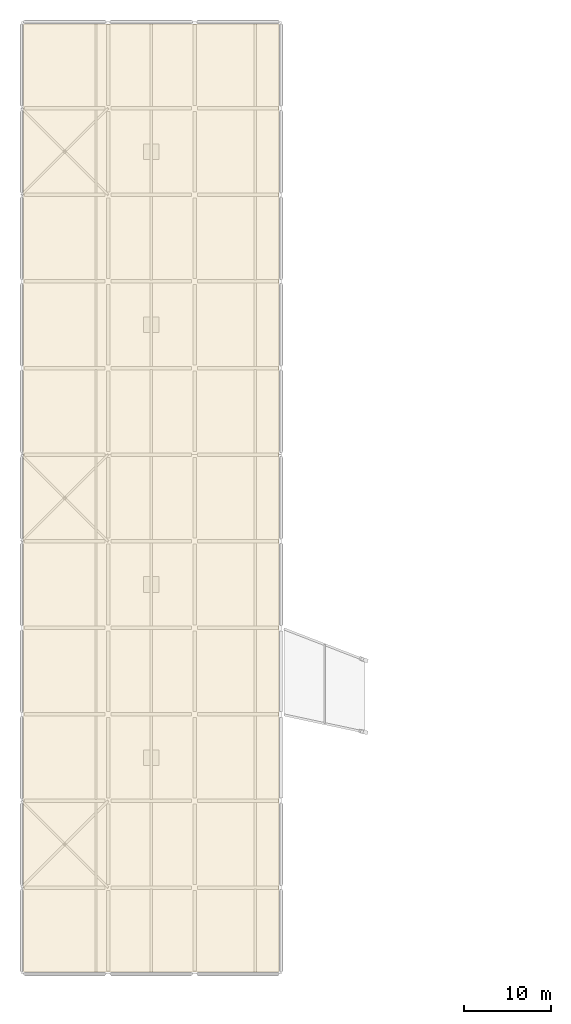
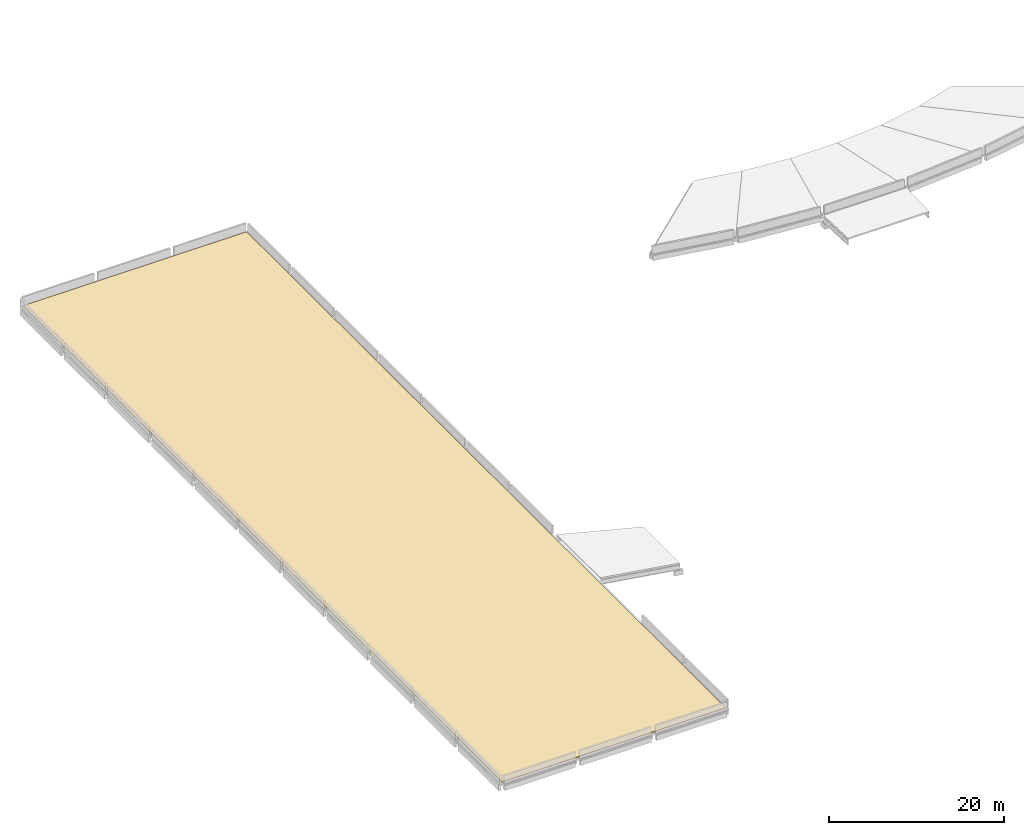
# One storey, part 37 of 39: 1 covering.
"""IFC4 building model written with IfcOpenShell, lengths in metres."""

from ifc_helpers import new_model, si_unit, direction, frame, origin, place, context, subcontext, project, spatial, polyline, outline, extrude, material, layer, layer_set, type_object, element, save


model = new_model("IFC4")

# Units and contexts
model_context = context("Model", 3, precision=1e-05, world=origin(), true_north=direction((0.0, 1.0)))
body_context = subcontext(model_context, "Body", "Model", "MODEL_VIEW")
ifc_project = project(units=[si_unit("LENGTHUNIT", "METRE"), si_unit("AREAUNIT", "SQUARE_METRE"), si_unit("VOLUMEUNIT", "CUBIC_METRE"), si_unit("PLANEANGLEUNIT", "RADIAN"), si_unit("MASSUNIT", "GRAM", prefix="KILO")], contexts=[model_context])

# Site, building, storey
site_placement = place(None, origin())
site = spatial("IfcSite", under=ifc_project, at=site_placement, CompositionType="ELEMENT")
building_placement = place(site_placement, origin())
building = spatial("IfcBuilding", under=site, at=building_placement, Name="Corvandel Quay Wholesale Market", CompositionType="ELEMENT")
storey_placement = place(building_placement, frame((0.0, 0.0, 15.0)))
storey = spatial("IfcBuildingStorey", under=building, at=storey_placement, Name="L03", CompositionType="ELEMENT", Elevation=15.0)

# Covering
ifc_material = material(Name="Weathering zinc-aluminium standing-seam membrane assembly", Category="aluminium")
ifc_layer = layer(ifc_material, 0.06494140625)
ifc_layer_set = layer_set([ifc_layer], Name="Weathering zinc-aluminium standing-seam membrane assembly")
covering_type = type_object("IfcCoveringType", Name="Standing-Seam Acoustic Membrane Roofing RFG01", PredefinedType="ROOFING", material=ifc_layer_set)
covering_placement = place(storey_placement, origin())
element("IfcCovering", 1, at=covering_placement, inside=storey, type_object=covering_type, Name="Roof Covering RFG-001", PredefinedType="ROOFING", context=body_context, shape_type="SweptSolid", body=[
    extrude(outline(polyline([(20.25, 10.25), (20.25, 119.75), (49.75, 119.75), (49.75, 10.25), (20.25, 10.25)])), origin(), (0.0, 0.0, 1.0), 0.06494140625),
])

save(model, "model.ifc")
